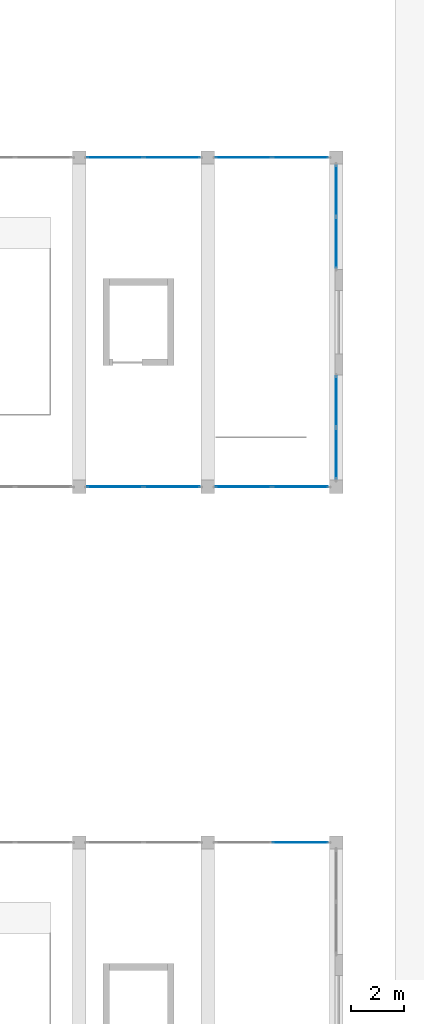
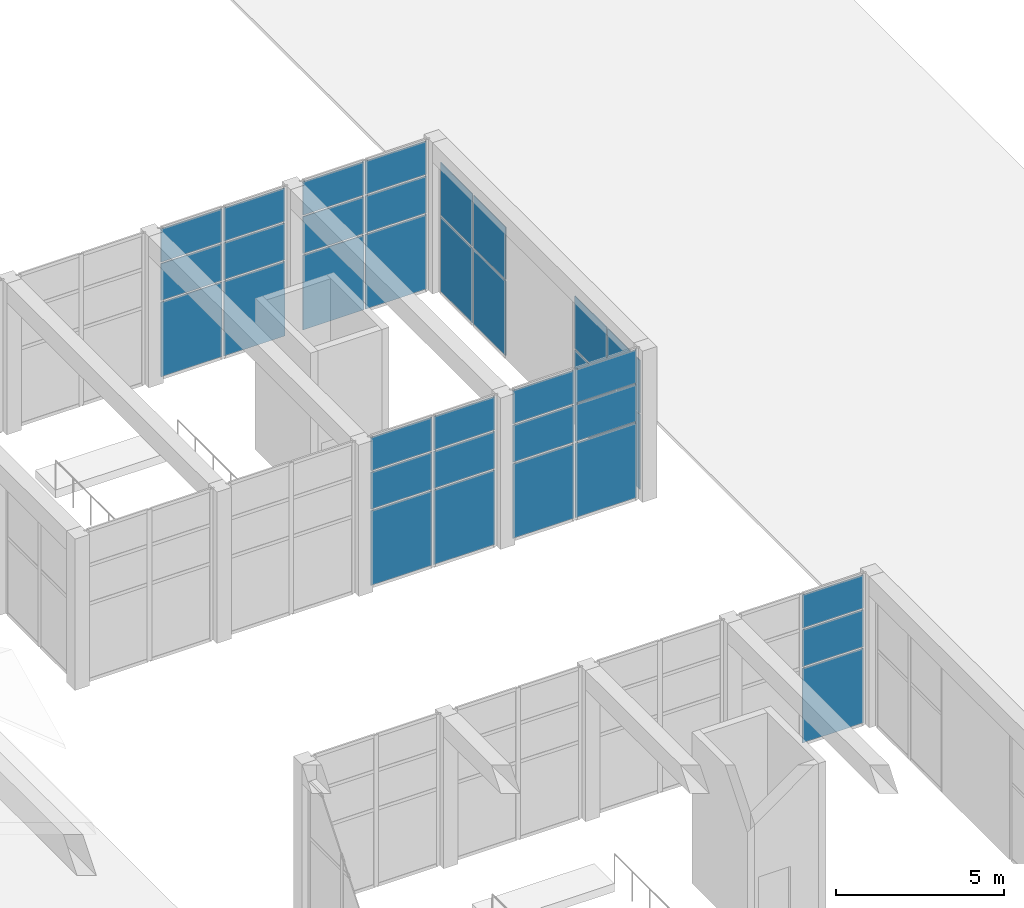
# One storey, part 20 of 175: 35 plates, 7 elements without a shape of their own.
"""IFC4 building model written with IfcOpenShell, lengths in metres."""

from ifc_helpers import new_model, si_unit, direction, frame, origin, origin_2d, place, context, subcontext, project, spatial, rectangle, extrude, material, layer, layer_set, type_object, element, aggregate, save


model = new_model("IFC4")

# Units and contexts
model_context = context("Model", 3, precision=1e-05, world=origin(), true_north=direction((0.0, 1.0)))
body_context = subcontext(model_context, "Body", "Model", "MODEL_VIEW")
ifc_project = project(units=[si_unit("LENGTHUNIT", "METRE"), si_unit("AREAUNIT", "SQUARE_METRE"), si_unit("VOLUMEUNIT", "CUBIC_METRE"), si_unit("PLANEANGLEUNIT", "RADIAN"), si_unit("MASSUNIT", "GRAM", prefix="KILO")], contexts=[model_context])

# Site, building, storey
site_placement = place(None, origin())
site = spatial("IfcSite", under=ifc_project, at=site_placement, CompositionType="ELEMENT")
building_placement = place(site_placement, origin())
building = spatial("IfcBuilding", under=site, at=building_placement, Name="Ogive Plaza Stadium", CompositionType="ELEMENT")
storey_placement = place(building_placement, origin())
storey = spatial("IfcBuildingStorey", under=building, at=storey_placement, Name="L00", CompositionType="ELEMENT", Elevation=0.0)

# Curtain wall, plates
ifc_material_1 = material(Name="Aluminium and laminated glass", Category="aluminium")
curtain_wall_type = type_object("IfcCurtainWallType", Name="Headhouse curtain wall", PredefinedType="NOTDEFINED", material=ifc_material_1)
curtain_wall_1_placement = place(storey_placement, origin())
curtain_wall_1 = element("IfcCurtainWall", 1, at=curtain_wall_1_placement, inside=storey, type_object=curtain_wall_type, Name="Headhouse 1 curtain wall", PredefinedType="NOTDEFINED")
ifc_material_2 = material(Name="Laminated glass", Category="glass")
ifc_layer = layer(ifc_material_2, 0.028076171875)
ifc_layer_set = layer_set([ifc_layer], Name="Headhouse glass panel 28")
plate_type = type_object("IfcPlateType", Name="Headhouse glass panel 28", PredefinedType="CURTAIN_PANEL", material=ifc_layer_set)
plate_1_placement = place(storey_placement, frame((116.391357421875, -6.75, 0.06005859375), z_axis=(0.0, 0.0, 1.0), x_axis=(1.0, 0.0, 0.0)))
plate_1 = element("IfcPlate", 2, at=plate_1_placement, type_object=plate_type, Name="HCW1A panel 2.1", PredefinedType="CURTAIN_PANEL", context=body_context, shape_type="SweptSolid", body=[
    extrude(rectangle(XDim=2.097412109375, YDim=0.028076171875, at=origin_2d()), origin(), (0.0, 0.0, 1.0), 2.7099609375),
])
plate_2_placement = place(storey_placement, frame((116.391357421875, -6.75, 2.830078125), z_axis=(0.0, 0.0, 1.0), x_axis=(1.0, 0.0, 0.0)))
plate_2 = element("IfcPlate", 3, at=plate_2_placement, type_object=plate_type, Name="HCW1A panel 2.2", PredefinedType="CURTAIN_PANEL", context=body_context, shape_type="SweptSolid", body=[
    extrude(rectangle(XDim=2.097412109375, YDim=0.028076171875, at=origin_2d()), origin(), (0.0, 0.0, 1.0), 1.340087890625),
])
plate_3_placement = place(storey_placement, frame((116.391357421875, -6.75, 4.22998046875), z_axis=(0.0, 0.0, 1.0), x_axis=(1.0, 0.0, 0.0)))
plate_3 = element("IfcPlate", 4, at=plate_3_placement, type_object=plate_type, Name="HCW1A panel 2.3", PredefinedType="CURTAIN_PANEL", context=body_context, shape_type="SweptSolid", body=[
    extrude(rectangle(XDim=2.097412109375, YDim=0.028076171875, at=origin_2d()), origin(), (0.0, 0.0, 1.0), 1.2099609375),
])
aggregate(curtain_wall_1, [plate_1, plate_2, plate_3])

curtain_wall_2_placement = place(storey_placement, origin())
curtain_wall_2 = element("IfcCurtainWall", 5, at=curtain_wall_2_placement, inside=storey, type_object=curtain_wall_type, Name="Headhouse 2 curtain wall", PredefinedType="NOTDEFINED")
plate_4_placement = place(storey_placement, frame((109.358642578125, 6.75, 0.06005859375), z_axis=(0.0, 0.0, 1.0), x_axis=(1.0, 0.0, 0.0)))
plate_4 = element("IfcPlate", 6, at=plate_4_placement, type_object=plate_type, Name="HCW2A panel 1.1", PredefinedType="CURTAIN_PANEL", context=body_context, shape_type="SweptSolid", body=[
    extrude(rectangle(XDim=2.097412109375, YDim=0.028076171875, at=origin_2d()), origin(), (0.0, 0.0, 1.0), 2.7099609375),
])
plate_5_placement = place(storey_placement, frame((109.358642578125, 6.75, 2.830078125), z_axis=(0.0, 0.0, 1.0), x_axis=(1.0, 0.0, 0.0)))
plate_5 = element("IfcPlate", 7, at=plate_5_placement, type_object=plate_type, Name="HCW2A panel 1.2", PredefinedType="CURTAIN_PANEL", context=body_context, shape_type="SweptSolid", body=[
    extrude(rectangle(XDim=2.097412109375, YDim=0.028076171875, at=origin_2d()), origin(), (0.0, 0.0, 1.0), 1.340087890625),
])
plate_6_placement = place(storey_placement, frame((109.358642578125, 6.75, 4.22998046875), z_axis=(0.0, 0.0, 1.0), x_axis=(1.0, 0.0, 0.0)))
plate_6 = element("IfcPlate", 8, at=plate_6_placement, type_object=plate_type, Name="HCW2A panel 1.3", PredefinedType="CURTAIN_PANEL", context=body_context, shape_type="SweptSolid", body=[
    extrude(rectangle(XDim=2.097412109375, YDim=0.028076171875, at=origin_2d()), origin(), (0.0, 0.0, 1.0), 1.2099609375),
])
plate_7_placement = place(storey_placement, frame((111.516357421875, 6.75, 0.06005859375), z_axis=(0.0, 0.0, 1.0), x_axis=(1.0, 0.0, 0.0)))
plate_7 = element("IfcPlate", 9, at=plate_7_placement, type_object=plate_type, Name="HCW2A panel 2.1", PredefinedType="CURTAIN_PANEL", context=body_context, shape_type="SweptSolid", body=[
    extrude(rectangle(XDim=2.097412109375, YDim=0.028076171875, at=origin_2d()), origin(), (0.0, 0.0, 1.0), 2.7099609375),
])
plate_8_placement = place(storey_placement, frame((111.516357421875, 6.75, 2.830078125), z_axis=(0.0, 0.0, 1.0), x_axis=(1.0, 0.0, 0.0)))
plate_8 = element("IfcPlate", 10, at=plate_8_placement, type_object=plate_type, Name="HCW2A panel 2.2", PredefinedType="CURTAIN_PANEL", context=body_context, shape_type="SweptSolid", body=[
    extrude(rectangle(XDim=2.097412109375, YDim=0.028076171875, at=origin_2d()), origin(), (0.0, 0.0, 1.0), 1.340087890625),
])
plate_9_placement = place(storey_placement, frame((111.516357421875, 6.75, 4.22998046875), z_axis=(0.0, 0.0, 1.0), x_axis=(1.0, 0.0, 0.0)))
plate_9 = element("IfcPlate", 11, at=plate_9_placement, type_object=plate_type, Name="HCW2A panel 2.3", PredefinedType="CURTAIN_PANEL", context=body_context, shape_type="SweptSolid", body=[
    extrude(rectangle(XDim=2.097412109375, YDim=0.028076171875, at=origin_2d()), origin(), (0.0, 0.0, 1.0), 1.2099609375),
])
aggregate(curtain_wall_2, [plate_4, plate_5, plate_6, plate_7, plate_8, plate_9])

curtain_wall_3_placement = place(storey_placement, origin())
curtain_wall_3 = element("IfcCurtainWall", 12, at=curtain_wall_3_placement, inside=storey, type_object=curtain_wall_type, Name="Headhouse 2 curtain wall", PredefinedType="NOTDEFINED")
plate_10_placement = place(storey_placement, frame((114.233642578125, 6.75, 0.06005859375), z_axis=(0.0, 0.0, 1.0), x_axis=(1.0, 0.0, 0.0)))
plate_10 = element("IfcPlate", 13, at=plate_10_placement, type_object=plate_type, Name="HCW2A panel 1.1", PredefinedType="CURTAIN_PANEL", context=body_context, shape_type="SweptSolid", body=[
    extrude(rectangle(XDim=2.097412109375, YDim=0.028076171875, at=origin_2d()), origin(), (0.0, 0.0, 1.0), 2.7099609375),
])
plate_11_placement = place(storey_placement, frame((114.233642578125, 6.75, 2.830078125), z_axis=(0.0, 0.0, 1.0), x_axis=(1.0, 0.0, 0.0)))
plate_11 = element("IfcPlate", 14, at=plate_11_placement, type_object=plate_type, Name="HCW2A panel 1.2", PredefinedType="CURTAIN_PANEL", context=body_context, shape_type="SweptSolid", body=[
    extrude(rectangle(XDim=2.097412109375, YDim=0.028076171875, at=origin_2d()), origin(), (0.0, 0.0, 1.0), 1.340087890625),
])
plate_12_placement = place(storey_placement, frame((114.233642578125, 6.75, 4.22998046875), z_axis=(0.0, 0.0, 1.0), x_axis=(1.0, 0.0, 0.0)))
plate_12 = element("IfcPlate", 15, at=plate_12_placement, type_object=plate_type, Name="HCW2A panel 1.3", PredefinedType="CURTAIN_PANEL", context=body_context, shape_type="SweptSolid", body=[
    extrude(rectangle(XDim=2.097412109375, YDim=0.028076171875, at=origin_2d()), origin(), (0.0, 0.0, 1.0), 1.2099609375),
])
plate_13_placement = place(storey_placement, frame((116.391357421875, 6.75, 0.06005859375), z_axis=(0.0, 0.0, 1.0), x_axis=(1.0, 0.0, 0.0)))
plate_13 = element("IfcPlate", 16, at=plate_13_placement, type_object=plate_type, Name="HCW2A panel 2.1", PredefinedType="CURTAIN_PANEL", context=body_context, shape_type="SweptSolid", body=[
    extrude(rectangle(XDim=2.097412109375, YDim=0.028076171875, at=origin_2d()), origin(), (0.0, 0.0, 1.0), 2.7099609375),
])
plate_14_placement = place(storey_placement, frame((116.391357421875, 6.75, 2.830078125), z_axis=(0.0, 0.0, 1.0), x_axis=(1.0, 0.0, 0.0)))
plate_14 = element("IfcPlate", 17, at=plate_14_placement, type_object=plate_type, Name="HCW2A panel 2.2", PredefinedType="CURTAIN_PANEL", context=body_context, shape_type="SweptSolid", body=[
    extrude(rectangle(XDim=2.097412109375, YDim=0.028076171875, at=origin_2d()), origin(), (0.0, 0.0, 1.0), 1.340087890625),
])
plate_15_placement = place(storey_placement, frame((116.391357421875, 6.75, 4.22998046875), z_axis=(0.0, 0.0, 1.0), x_axis=(1.0, 0.0, 0.0)))
plate_15 = element("IfcPlate", 18, at=plate_15_placement, type_object=plate_type, Name="HCW2A panel 2.3", PredefinedType="CURTAIN_PANEL", context=body_context, shape_type="SweptSolid", body=[
    extrude(rectangle(XDim=2.097412109375, YDim=0.028076171875, at=origin_2d()), origin(), (0.0, 0.0, 1.0), 1.2099609375),
])
aggregate(curtain_wall_3, [plate_10, plate_11, plate_12, plate_13, plate_14, plate_15])

curtain_wall_4_placement = place(storey_placement, origin())
curtain_wall_4 = element("IfcCurtainWall", 19, at=curtain_wall_4_placement, inside=storey, type_object=curtain_wall_type, Name="Headhouse 2 curtain wall", PredefinedType="NOTDEFINED")
plate_16_placement = place(storey_placement, frame((109.358642578125, 19.25, 0.06005859375), z_axis=(0.0, 0.0, 1.0), x_axis=(1.0, 0.0, 0.0)))
plate_16 = element("IfcPlate", 20, at=plate_16_placement, type_object=plate_type, Name="HCW2A panel 1.1", PredefinedType="CURTAIN_PANEL", context=body_context, shape_type="SweptSolid", body=[
    extrude(rectangle(XDim=2.097412109375, YDim=0.028076171875, at=origin_2d()), origin(), (0.0, 0.0, 1.0), 2.7099609375),
])
plate_17_placement = place(storey_placement, frame((109.358642578125, 19.25, 2.830078125), z_axis=(0.0, 0.0, 1.0), x_axis=(1.0, 0.0, 0.0)))
plate_17 = element("IfcPlate", 21, at=plate_17_placement, type_object=plate_type, Name="HCW2A panel 1.2", PredefinedType="CURTAIN_PANEL", context=body_context, shape_type="SweptSolid", body=[
    extrude(rectangle(XDim=2.097412109375, YDim=0.028076171875, at=origin_2d()), origin(), (0.0, 0.0, 1.0), 1.340087890625),
])
plate_18_placement = place(storey_placement, frame((109.358642578125, 19.25, 4.22998046875), z_axis=(0.0, 0.0, 1.0), x_axis=(1.0, 0.0, 0.0)))
plate_18 = element("IfcPlate", 22, at=plate_18_placement, type_object=plate_type, Name="HCW2A panel 1.3", PredefinedType="CURTAIN_PANEL", context=body_context, shape_type="SweptSolid", body=[
    extrude(rectangle(XDim=2.097412109375, YDim=0.028076171875, at=origin_2d()), origin(), (0.0, 0.0, 1.0), 1.2099609375),
])
plate_19_placement = place(storey_placement, frame((111.516357421875, 19.25, 0.06005859375), z_axis=(0.0, 0.0, 1.0), x_axis=(1.0, 0.0, 0.0)))
plate_19 = element("IfcPlate", 23, at=plate_19_placement, type_object=plate_type, Name="HCW2A panel 2.1", PredefinedType="CURTAIN_PANEL", context=body_context, shape_type="SweptSolid", body=[
    extrude(rectangle(XDim=2.097412109375, YDim=0.028076171875, at=origin_2d()), origin(), (0.0, 0.0, 1.0), 2.7099609375),
])
plate_20_placement = place(storey_placement, frame((111.516357421875, 19.25, 2.830078125), z_axis=(0.0, 0.0, 1.0), x_axis=(1.0, 0.0, 0.0)))
plate_20 = element("IfcPlate", 24, at=plate_20_placement, type_object=plate_type, Name="HCW2A panel 2.2", PredefinedType="CURTAIN_PANEL", context=body_context, shape_type="SweptSolid", body=[
    extrude(rectangle(XDim=2.097412109375, YDim=0.028076171875, at=origin_2d()), origin(), (0.0, 0.0, 1.0), 1.340087890625),
])
plate_21_placement = place(storey_placement, frame((111.516357421875, 19.25, 4.22998046875), z_axis=(0.0, 0.0, 1.0), x_axis=(1.0, 0.0, 0.0)))
plate_21 = element("IfcPlate", 25, at=plate_21_placement, type_object=plate_type, Name="HCW2A panel 2.3", PredefinedType="CURTAIN_PANEL", context=body_context, shape_type="SweptSolid", body=[
    extrude(rectangle(XDim=2.097412109375, YDim=0.028076171875, at=origin_2d()), origin(), (0.0, 0.0, 1.0), 1.2099609375),
])
aggregate(curtain_wall_4, [plate_16, plate_17, plate_18, plate_19, plate_20, plate_21])

curtain_wall_5_placement = place(storey_placement, origin())
curtain_wall_5 = element("IfcCurtainWall", 26, at=curtain_wall_5_placement, inside=storey, type_object=curtain_wall_type, Name="Headhouse 2 curtain wall", PredefinedType="NOTDEFINED")
plate_22_placement = place(storey_placement, frame((114.233642578125, 19.25, 0.06005859375), z_axis=(0.0, 0.0, 1.0), x_axis=(1.0, 0.0, 0.0)))
plate_22 = element("IfcPlate", 27, at=plate_22_placement, type_object=plate_type, Name="HCW2A panel 1.1", PredefinedType="CURTAIN_PANEL", context=body_context, shape_type="SweptSolid", body=[
    extrude(rectangle(XDim=2.097412109375, YDim=0.028076171875, at=origin_2d()), origin(), (0.0, 0.0, 1.0), 2.7099609375),
])
plate_23_placement = place(storey_placement, frame((114.233642578125, 19.25, 2.830078125), z_axis=(0.0, 0.0, 1.0), x_axis=(1.0, 0.0, 0.0)))
plate_23 = element("IfcPlate", 28, at=plate_23_placement, type_object=plate_type, Name="HCW2A panel 1.2", PredefinedType="CURTAIN_PANEL", context=body_context, shape_type="SweptSolid", body=[
    extrude(rectangle(XDim=2.097412109375, YDim=0.028076171875, at=origin_2d()), origin(), (0.0, 0.0, 1.0), 1.340087890625),
])
plate_24_placement = place(storey_placement, frame((114.233642578125, 19.25, 4.22998046875), z_axis=(0.0, 0.0, 1.0), x_axis=(1.0, 0.0, 0.0)))
plate_24 = element("IfcPlate", 29, at=plate_24_placement, type_object=plate_type, Name="HCW2A panel 1.3", PredefinedType="CURTAIN_PANEL", context=body_context, shape_type="SweptSolid", body=[
    extrude(rectangle(XDim=2.097412109375, YDim=0.028076171875, at=origin_2d()), origin(), (0.0, 0.0, 1.0), 1.2099609375),
])
plate_25_placement = place(storey_placement, frame((116.391357421875, 19.25, 0.06005859375), z_axis=(0.0, 0.0, 1.0), x_axis=(1.0, 0.0, 0.0)))
plate_25 = element("IfcPlate", 30, at=plate_25_placement, type_object=plate_type, Name="HCW2A panel 2.1", PredefinedType="CURTAIN_PANEL", context=body_context, shape_type="SweptSolid", body=[
    extrude(rectangle(XDim=2.097412109375, YDim=0.028076171875, at=origin_2d()), origin(), (0.0, 0.0, 1.0), 2.7099609375),
])
plate_26_placement = place(storey_placement, frame((116.391357421875, 19.25, 2.830078125), z_axis=(0.0, 0.0, 1.0), x_axis=(1.0, 0.0, 0.0)))
plate_26 = element("IfcPlate", 31, at=plate_26_placement, type_object=plate_type, Name="HCW2A panel 2.2", PredefinedType="CURTAIN_PANEL", context=body_context, shape_type="SweptSolid", body=[
    extrude(rectangle(XDim=2.097412109375, YDim=0.028076171875, at=origin_2d()), origin(), (0.0, 0.0, 1.0), 1.340087890625),
])
plate_27_placement = place(storey_placement, frame((116.391357421875, 19.25, 4.22998046875), z_axis=(0.0, 0.0, 1.0), x_axis=(1.0, 0.0, 0.0)))
plate_27 = element("IfcPlate", 32, at=plate_27_placement, type_object=plate_type, Name="HCW2A panel 2.3", PredefinedType="CURTAIN_PANEL", context=body_context, shape_type="SweptSolid", body=[
    extrude(rectangle(XDim=2.097412109375, YDim=0.028076171875, at=origin_2d()), origin(), (0.0, 0.0, 1.0), 1.2099609375),
])
aggregate(curtain_wall_5, [plate_22, plate_23, plate_24, plate_25, plate_26, plate_27])

curtain_wall_6_placement = place(storey_placement, origin())
curtain_wall_6 = element("IfcCurtainWall", 33, at=curtain_wall_6_placement, inside=storey, type_object=curtain_wall_type, Name="Headhouse 2 curtain wall", PredefinedType="NOTDEFINED")
plate_28_placement = place(storey_placement, frame((117.75, 8.014892578125, 0.06005859375), z_axis=(0.0, 0.0, 1.0), x_axis=(0.0, 1.0, 0.0)))
plate_28 = element("IfcPlate", 34, at=plate_28_placement, type_object=plate_type, Name="HCW2B panel 1.1", PredefinedType="CURTAIN_PANEL", context=body_context, shape_type="SweptSolid", body=[
    extrude(rectangle(XDim=1.909912109375, YDim=0.028076171875, at=origin_2d()), origin(), (0.0, 0.0, 1.0), 2.7099609375),
])
plate_29_placement = place(storey_placement, frame((117.75, 8.014892578125, 2.830078125), z_axis=(0.0, 0.0, 1.0), x_axis=(0.0, 1.0, 0.0)))
plate_29 = element("IfcPlate", 35, at=plate_29_placement, type_object=plate_type, Name="HCW2B panel 1.2", PredefinedType="CURTAIN_PANEL", context=body_context, shape_type="SweptSolid", body=[
    extrude(rectangle(XDim=1.909912109375, YDim=0.028076171875, at=origin_2d()), origin(), (0.0, 0.0, 1.0), 1.909912109375),
])
plate_30_placement = place(storey_placement, frame((117.75, 9.985107421875, 0.06005859375), z_axis=(0.0, 0.0, 1.0), x_axis=(0.0, 1.0, 0.0)))
plate_30 = element("IfcPlate", 36, at=plate_30_placement, type_object=plate_type, Name="HCW2B panel 2.1", PredefinedType="CURTAIN_PANEL", context=body_context, shape_type="SweptSolid", body=[
    extrude(rectangle(XDim=1.909912109375, YDim=0.028076171875, at=origin_2d()), origin(), (0.0, 0.0, 1.0), 2.7099609375),
])
plate_31_placement = place(storey_placement, frame((117.75, 9.985107421875, 2.830078125), z_axis=(0.0, 0.0, 1.0), x_axis=(0.0, 1.0, 0.0)))
plate_31 = element("IfcPlate", 37, at=plate_31_placement, type_object=plate_type, Name="HCW2B panel 2.2", PredefinedType="CURTAIN_PANEL", context=body_context, shape_type="SweptSolid", body=[
    extrude(rectangle(XDim=1.909912109375, YDim=0.028076171875, at=origin_2d()), origin(), (0.0, 0.0, 1.0), 1.909912109375),
])
aggregate(curtain_wall_6, [plate_28, plate_29, plate_30, plate_31])

curtain_wall_7_placement = place(storey_placement, origin())
curtain_wall_7 = element("IfcCurtainWall", 38, at=curtain_wall_7_placement, inside=storey, type_object=curtain_wall_type, Name="Headhouse 2 curtain wall", PredefinedType="NOTDEFINED")
plate_32_placement = place(storey_placement, frame((117.75, 16.014892578125, 0.06005859375), z_axis=(0.0, 0.0, 1.0), x_axis=(0.0, 1.0, 0.0)))
plate_32 = element("IfcPlate", 39, at=plate_32_placement, type_object=plate_type, Name="HCW2B panel 1.1", PredefinedType="CURTAIN_PANEL", context=body_context, shape_type="SweptSolid", body=[
    extrude(rectangle(XDim=1.909912109375, YDim=0.028076171875, at=origin_2d()), origin(), (0.0, 0.0, 1.0), 2.7099609375),
])
plate_33_placement = place(storey_placement, frame((117.75, 16.014892578125, 2.830078125), z_axis=(0.0, 0.0, 1.0), x_axis=(0.0, 1.0, 0.0)))
plate_33 = element("IfcPlate", 40, at=plate_33_placement, type_object=plate_type, Name="HCW2B panel 1.2", PredefinedType="CURTAIN_PANEL", context=body_context, shape_type="SweptSolid", body=[
    extrude(rectangle(XDim=1.909912109375, YDim=0.028076171875, at=origin_2d()), origin(), (0.0, 0.0, 1.0), 1.909912109375),
])
plate_34_placement = place(storey_placement, frame((117.75, 17.985107421875, 0.06005859375), z_axis=(0.0, 0.0, 1.0), x_axis=(0.0, 1.0, 0.0)))
plate_34 = element("IfcPlate", 41, at=plate_34_placement, type_object=plate_type, Name="HCW2B panel 2.1", PredefinedType="CURTAIN_PANEL", context=body_context, shape_type="SweptSolid", body=[
    extrude(rectangle(XDim=1.909912109375, YDim=0.028076171875, at=origin_2d()), origin(), (0.0, 0.0, 1.0), 2.7099609375),
])
plate_35_placement = place(storey_placement, frame((117.75, 17.985107421875, 2.830078125), z_axis=(0.0, 0.0, 1.0), x_axis=(0.0, 1.0, 0.0)))
plate_35 = element("IfcPlate", 42, at=plate_35_placement, type_object=plate_type, Name="HCW2B panel 2.2", PredefinedType="CURTAIN_PANEL", context=body_context, shape_type="SweptSolid", body=[
    extrude(rectangle(XDim=1.909912109375, YDim=0.028076171875, at=origin_2d()), origin(), (0.0, 0.0, 1.0), 1.909912109375),
])
aggregate(curtain_wall_7, [plate_32, plate_33, plate_34, plate_35])

save(model, "model.ifc")
